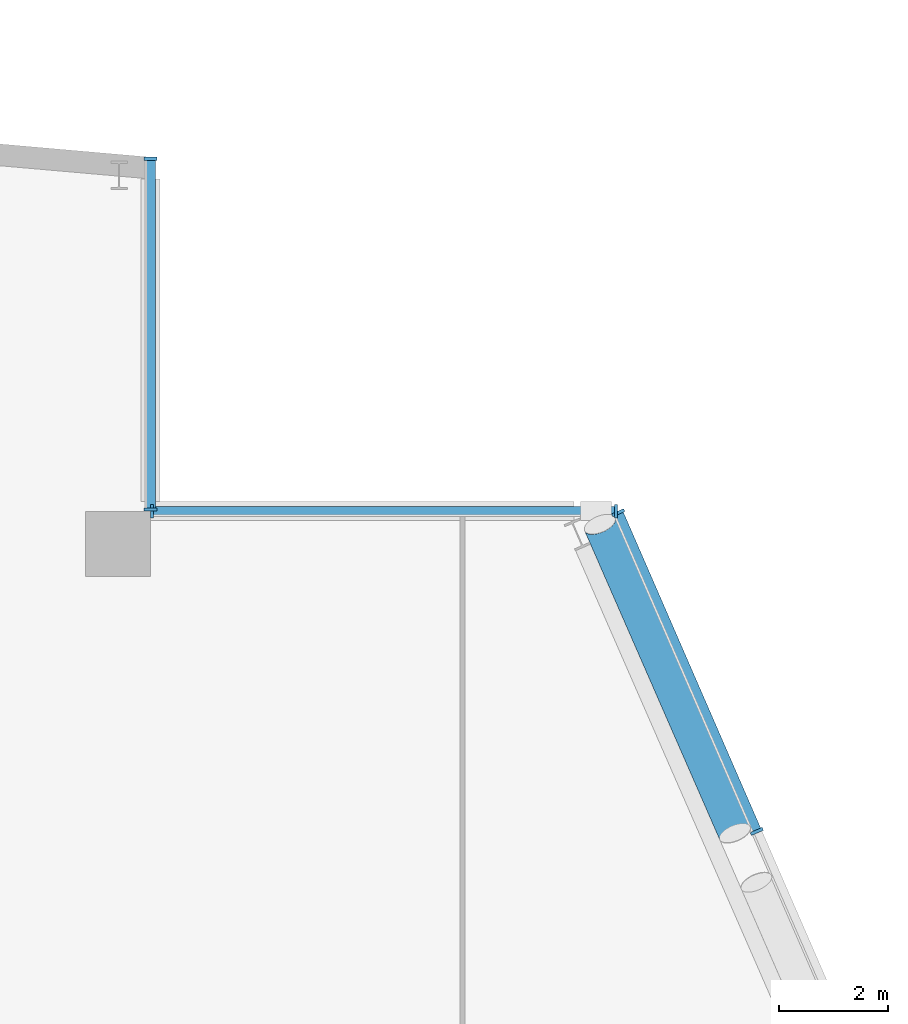
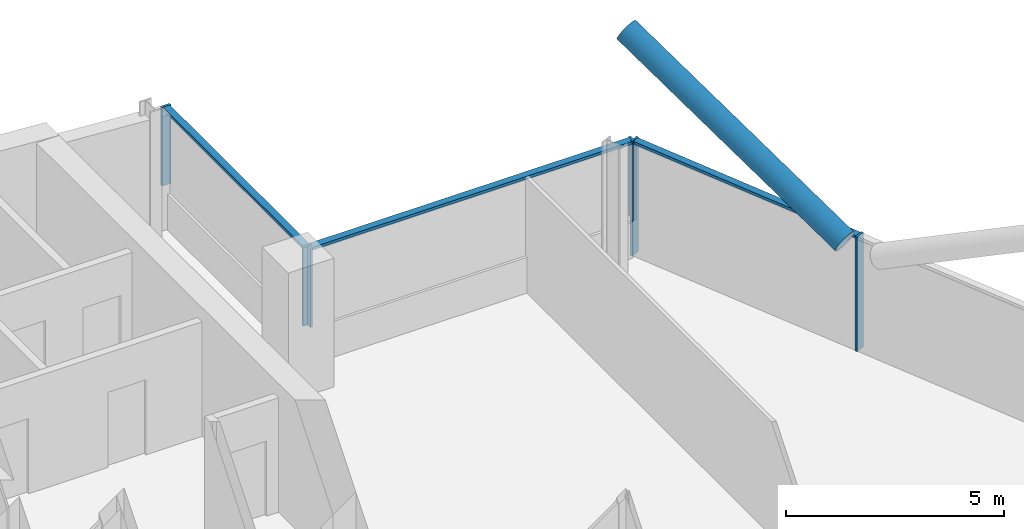
# One storey, part 11 of 27: 10 members, 3 elements without a shape of their own.
"""IFC4 building model written with IfcOpenShell, lengths in metres."""

from ifc_helpers import new_model, si_unit, direction, frame, origin, origin_2d, place, context, subcontext, project, spatial, rectangle, hollow_circle, extrude, material, material_profile, profile_set, type_object, element, aggregate, save


model = new_model("IFC4")

# Units and contexts
model_context = context("Model", 3, precision=1e-05, world=origin(), true_north=direction((0.0, 1.0)))
body_context = subcontext(model_context, "Body", "Model", "MODEL_VIEW")
ifc_project = project(units=[si_unit("LENGTHUNIT", "METRE"), si_unit("AREAUNIT", "SQUARE_METRE"), si_unit("VOLUMEUNIT", "CUBIC_METRE"), si_unit("PLANEANGLEUNIT", "RADIAN"), si_unit("MASSUNIT", "GRAM", prefix="KILO")], contexts=[model_context])

# Site, building, storey
site_placement = place(None, origin())
site = spatial("IfcSite", under=ifc_project, at=site_placement, CompositionType="ELEMENT")
building_placement = place(site_placement, origin())
building = spatial("IfcBuilding", under=site, at=building_placement, Name="Wharfspan Tower", CompositionType="ELEMENT")
storey_placement = place(building_placement, frame((0.0, 0.0, 228.699951)))
storey = spatial("IfcBuildingStorey", under=building, at=storey_placement, Name="L57", CompositionType="ELEMENT", Elevation=228.699951)

# Curtain wall, members
ifc_material_1 = material(Name="Aluminium 6063-T6", Category="aluminium")
curtain_wall_type = type_object("IfcCurtainWallType", Name="CURTAIN WALL PROW AND END", PredefinedType="NOTDEFINED", material=ifc_material_1)
curtain_wall_1_placement = place(storey_placement, origin())
curtain_wall_1 = element("IfcCurtainWall", 1, at=curtain_wall_1_placement, inside=storey, type_object=curtain_wall_type, Name="Curtain wall E", PredefinedType="NOTDEFINED")
ifc_material_profile_1 = material_profile(ifc_material_1, rectangle(XDim=0.23999, YDim=0.060059, at=origin_2d()))
ifc_profile_set_1 = profile_set([ifc_material_profile_1], Name="Aluminium 6063-T6")
member_type_1 = type_object("IfcMemberType", Name="MULLION PROW AND END 60x240", PredefinedType="MULLION", material=ifc_profile_set_1)
member_1_placement = place(storey_placement, frame((72.173828, 36.100098, 0.0), z_axis=(0.0, 0.0, 1.0), x_axis=(-0.917072, -0.398727, 0.0)))
member_1 = element("IfcMember", 2, at=member_1_placement, type_object=member_type_1, Name="Curtain wall E mullion 6", PredefinedType="MULLION", context=body_context, shape_type="SweptSolid", body=[
    extrude(rectangle(XDim=0.23999, YDim=0.060059, at=origin_2d()), origin(), (0.0, 0.0, 1.0), 3.199951),
])
member_2_placement = place(storey_placement, frame((69.620605, 41.972412, 0.0), z_axis=(0.0, 0.0, 1.0), x_axis=(-0.917072, -0.398727, 0.0)))
member_2 = element("IfcMember", 3, at=member_2_placement, type_object=member_type_1, Name="Curtain wall E mullion 7", PredefinedType="MULLION", context=body_context, shape_type="SweptSolid", body=[
    extrude(rectangle(XDim=0.23999, YDim=0.060059, at=origin_2d()), origin(), (0.0, 0.0, 1.0), 3.199951),
])

curtain_wall_2_placement = place(storey_placement, origin())
curtain_wall_2 = element("IfcCurtainWall", 4, at=curtain_wall_2_placement, inside=storey, type_object=curtain_wall_type, Name="Curtain wall NRE-H", PredefinedType="NOTDEFINED")
member_3_placement = place(storey_placement, frame((69.578613, 42.0, 1.0), z_axis=(0.0, 0.0, 1.0), x_axis=(0.0, -1.0, 0.0)))
member_3 = element("IfcMember", 5, at=member_3_placement, type_object=member_type_1, Name="Curtain wall NRE-H mullion 1", PredefinedType="MULLION", context=body_context, shape_type="SweptSolid", body=[
    extrude(rectangle(XDim=0.23999, YDim=0.060059, at=origin_2d()), origin(), (0.0, 0.0, 1.0), 2.199951),
])
member_4_placement = place(storey_placement, frame((61.030029, 42.0, 1.0), z_axis=(0.0, 0.0, 1.0), x_axis=(0.0, -1.0, 0.0)))
member_4 = element("IfcMember", 6, at=member_4_placement, type_object=member_type_1, Name="Curtain wall NRE-H mullion 2", PredefinedType="MULLION", context=body_context, shape_type="SweptSolid", body=[
    extrude(rectangle(XDim=0.23999, YDim=0.060059, at=origin_2d()), origin(), (0.0, 0.0, 1.0), 2.199951),
])

curtain_wall_3_placement = place(storey_placement, origin())
curtain_wall_3 = element("IfcCurtainWall", 7, at=curtain_wall_3_placement, inside=storey, type_object=curtain_wall_type, Name="Curtain wall NRE-V", PredefinedType="NOTDEFINED")
member_5_placement = place(storey_placement, frame((61.0, 42.030029, 1.0), z_axis=(0.0, 0.0, 1.0), x_axis=(-1.0, 0.0, 0.0)))
member_5 = element("IfcMember", 8, at=member_5_placement, type_object=member_type_1, Name="Curtain wall NRE-V mullion 1", PredefinedType="MULLION", context=body_context, shape_type="SweptSolid", body=[
    extrude(rectangle(XDim=0.23999, YDim=0.060059, at=origin_2d()), origin(), (0.0, 0.0, 1.0), 2.199951),
])
member_6_placement = place(storey_placement, frame((61.0, 48.494873, 1.0), z_axis=(0.0, 0.0, 1.0), x_axis=(-1.0, 0.0, 0.0)))
member_6 = element("IfcMember", 9, at=member_6_placement, type_object=member_type_1, Name="Curtain wall NRE-V mullion 2", PredefinedType="MULLION", context=body_context, shape_type="SweptSolid", body=[
    extrude(rectangle(XDim=0.23999, YDim=0.060059, at=origin_2d()), origin(), (0.0, 0.0, 1.0), 2.199951),
])

# Member
ifc_material_2 = material(Name="Steel S460NH", Category="steel")
ifc_material_profile_2 = material_profile(ifc_material_2, hollow_circle(Radius=0.304932, WallThickness=0.024902, at=origin_2d()))
ifc_profile_set_2 = profile_set([ifc_material_profile_2], Name="Steel S460NH")
member_type_2 = type_object("IfcMemberType", Name="Mega brace CHS 610x25", PredefinedType="BRACE", material=ifc_profile_set_2)
member_7_placement = place(storey_placement, frame((71.769775, 36.06958, 3.166748), z_axis=(-0.352909, 0.807115, 0.473307), x_axis=(-0.916238, -0.400621, -3e-06)))
element("IfcMember", 10, at=member_7_placement, inside=storey, type_object=member_type_2, Name="Mega brace E6 L57 part 2", PredefinedType="BRACE", context=body_context, shape_type="SweptSolid", body=[
    extrude(hollow_circle(Radius=0.304932, WallThickness=0.024902, at=origin_2d()), origin(), (0.0, 0.0, 1.0), 7.04248),
])

ifc_material_profile_3 = material_profile(ifc_material_1, rectangle(XDim=0.179932, YDim=0.080078, at=origin_2d()))
ifc_profile_set_3 = profile_set([ifc_material_profile_3], Name="Aluminium 6063-T6")
member_type_3 = type_object("IfcMemberType", Name="TRANSOM PROW AND END 80x180", PredefinedType="USERDEFINED", material=ifc_profile_set_3)
member_8_placement = place(storey_placement, frame((72.161865, 36.127441, 3.160156), z_axis=(-0.398712, 0.917076, 0.0), x_axis=(-0.917076, -0.398712, 0.0)))
member_8 = element("IfcMember", 11, at=member_8_placement, type_object=member_type_3, Name="Curtain wall E transom 6", ObjectType="TRANSOM", PredefinedType="USERDEFINED", context=body_context, shape_type="SweptSolid", body=[
    extrude(rectangle(XDim=0.179932, YDim=0.080078, at=origin_2d()), origin(), (0.0, 0.0, 1.0), 6.34375),
])

aggregate(curtain_wall_1, [member_1, member_2, member_8])

member_9_placement = place(storey_placement, frame((69.548584, 42.0, 3.160156), z_axis=(-1.0, 0.0, 0.0), x_axis=(0.0, -1.0, 0.0)))
member_9 = element("IfcMember", 12, at=member_9_placement, type_object=member_type_3, Name="Curtain wall NRE-H transom 1", ObjectType="TRANSOM", PredefinedType="USERDEFINED", context=body_context, shape_type="SweptSolid", body=[
    extrude(rectangle(XDim=0.179932, YDim=0.080078, at=origin_2d()), origin(), (0.0, 0.0, 1.0), 8.488525),
])

aggregate(curtain_wall_2, [member_3, member_4, member_9])

member_10_placement = place(storey_placement, frame((61.0, 42.060059, 3.160156), z_axis=(0.0, 1.0, 0.0), x_axis=(-1.0, 0.0, 0.0)))
member_10 = element("IfcMember", 13, at=member_10_placement, type_object=member_type_3, Name="Curtain wall NRE-V transom 1", ObjectType="TRANSOM", PredefinedType="USERDEFINED", context=body_context, shape_type="SweptSolid", body=[
    extrude(rectangle(XDim=0.179932, YDim=0.080078, at=origin_2d()), origin(), (0.0, 0.0, 1.0), 6.404785),
])

aggregate(curtain_wall_3, [member_5, member_6, member_10])

save(model, "model.ifc")
